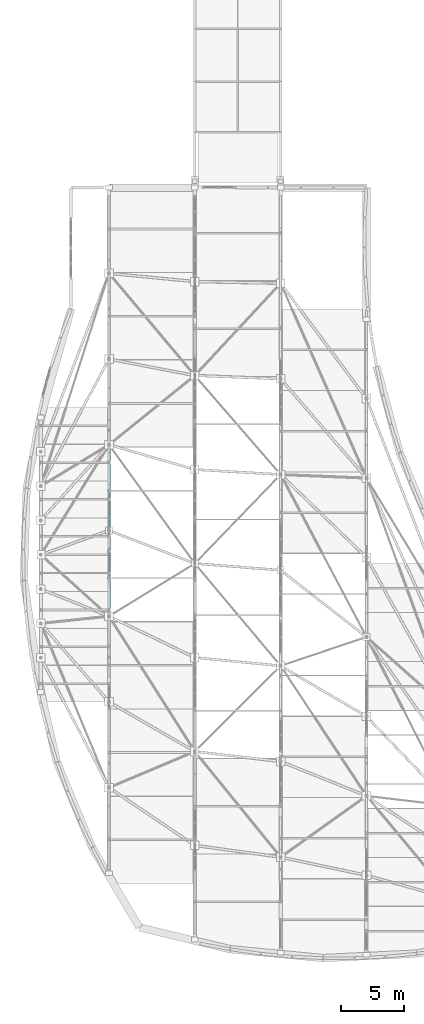
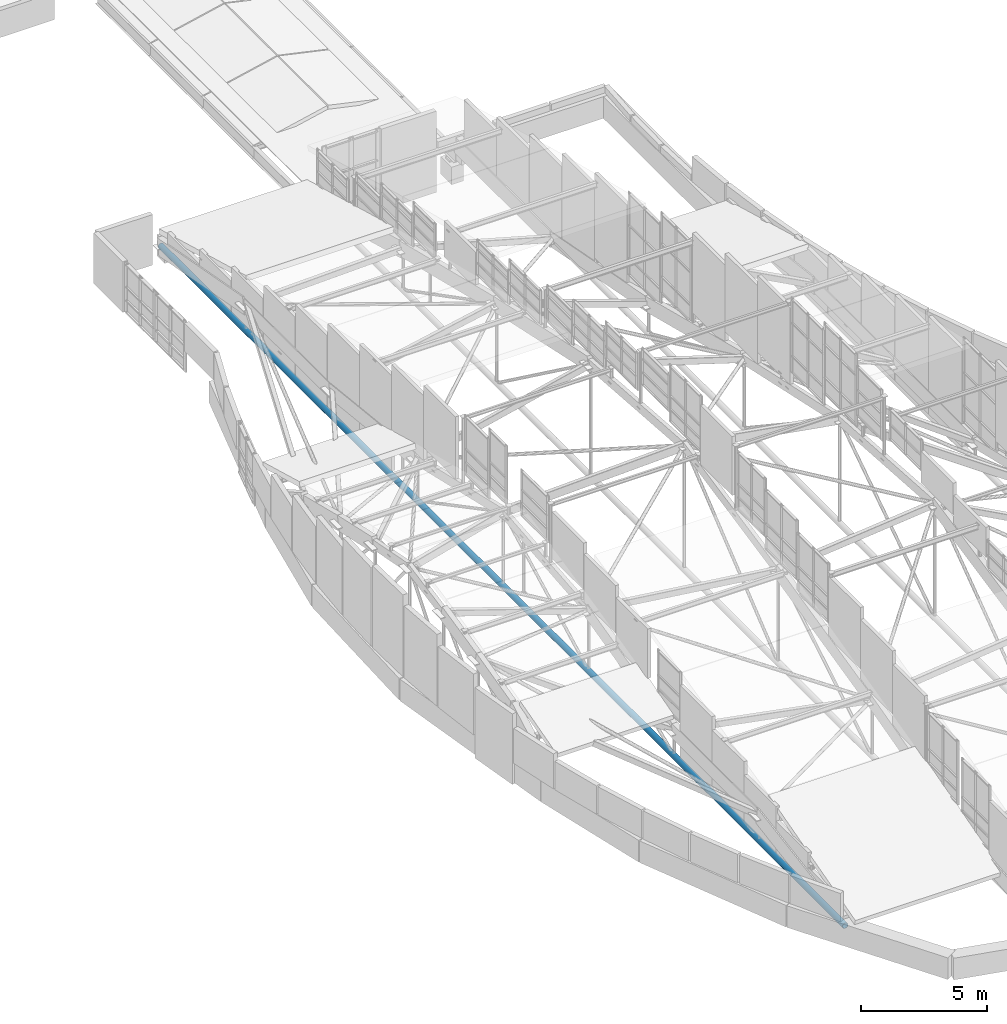
# One storey, part 39 of 188: 1 member.
"""IFC4 building model written with IfcOpenShell, lengths in metres."""

from ifc_helpers import new_model, si_unit, direction, frame, origin, origin_2d, place, context, subcontext, project, spatial, hollow_circle, extrude, material, material_profile, profile_set, type_object, element, save


model = new_model("IFC4")

# Units and contexts
model_context = context("Model", 3, precision=1e-05, world=origin(), true_north=direction((0.0, 1.0)))
body_context = subcontext(model_context, "Body", "Model", "MODEL_VIEW")
ifc_project = project(units=[si_unit("LENGTHUNIT", "METRE"), si_unit("AREAUNIT", "SQUARE_METRE"), si_unit("VOLUMEUNIT", "CUBIC_METRE"), si_unit("PLANEANGLEUNIT", "RADIAN"), si_unit("MASSUNIT", "GRAM", prefix="KILO")], contexts=[model_context])

# Site, building, storey
site_placement = place(None, origin())
site = spatial("IfcSite", under=ifc_project, at=site_placement, CompositionType="ELEMENT")
building_placement = place(site_placement, origin())
building = spatial("IfcBuilding", under=site, at=building_placement, Name="Kisaragi Civic Commons", CompositionType="ELEMENT")
storey_placement = place(building_placement, frame((0.0, 0.0, 9.60009765625)))
storey = spatial("IfcBuildingStorey", under=building, at=storey_placement, Name="L02", CompositionType="ELEMENT", Elevation=9.60009765625)

# Member
ifc_material = material(Name="Steel SN490 (SN490B)", Category="steel")
ifc_material_profile = material_profile(ifc_material, hollow_circle(Radius=0.1337890625, WallThickness=0.009033203125, at=origin_2d()), Name="CHS-267.4x9.0", Category="steel")
ifc_profile_set = profile_set([ifc_material_profile], Name="Steel SN490 (SN490B)")
member_type = type_object("IfcMemberType", Name="ST-T1", PredefinedType="STRUT", material=ifc_profile_set)
member_placement = place(storey_placement, frame((6.800048828125, 8.076171875, -0.691162109375), z_axis=(0.0, 1.0, 0.0), x_axis=(-1.0, 0.0, 0.0)))
element("IfcMember", 1, at=member_placement, inside=storey, type_object=member_type, Name="V1 arch tension tie ST-T1 15", PredefinedType="STRUT", context=body_context, shape_type="SweptSolid", body=[
    extrude(hollow_circle(Radius=0.1337890625, WallThickness=0.009033203125, at=origin_2d()), origin(), (0.0, 0.0, 1.0), 54.32373046875),
])

save(model, "model.ifc")
